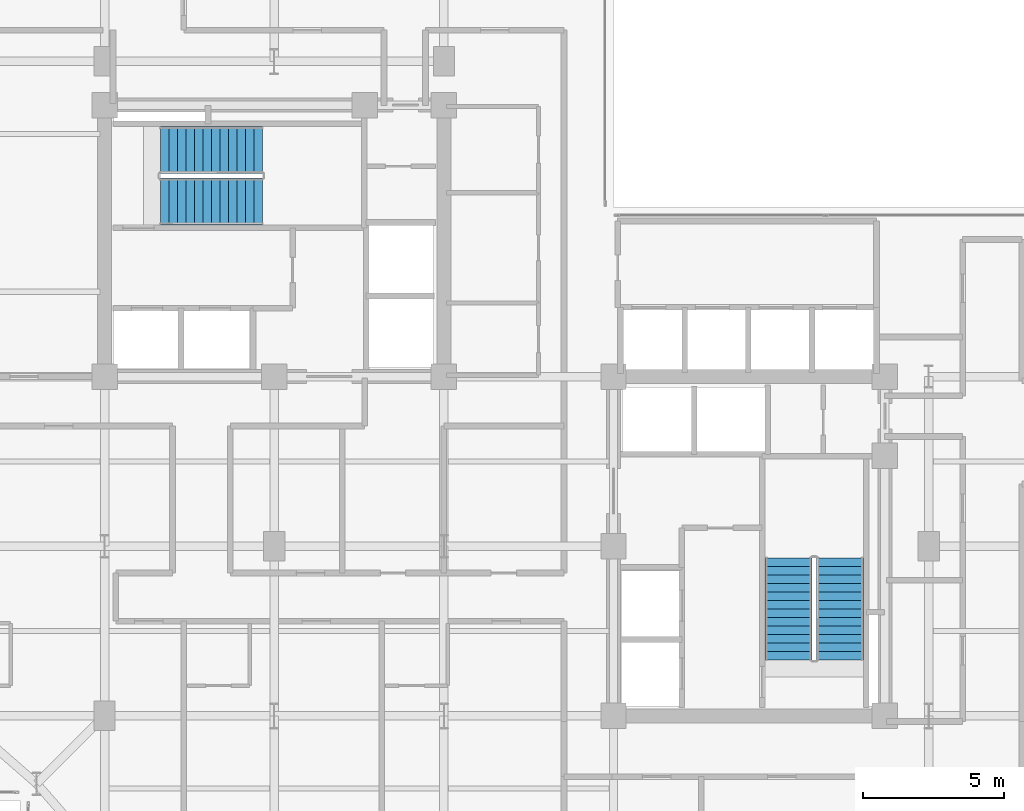
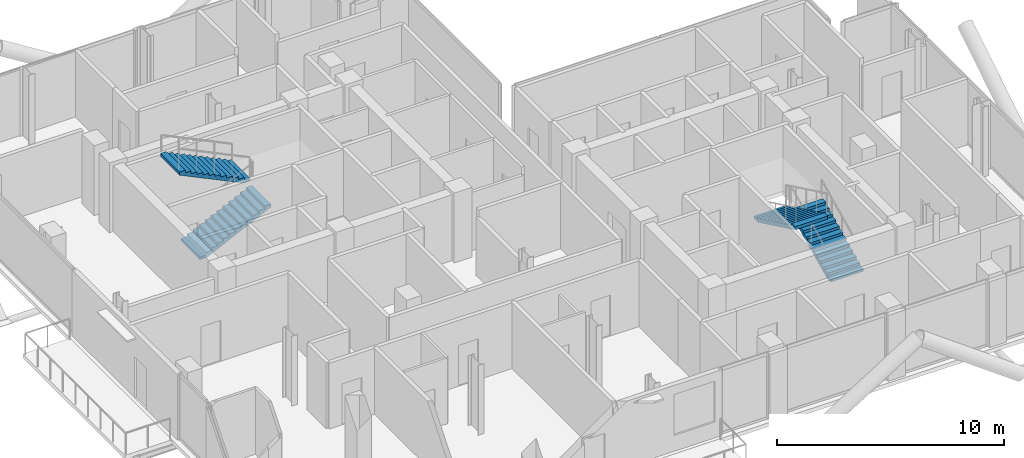
# One storey, part 20 of 22: 4 stair flights, 2 elements without a shape of their own.
"""IFC4 building model written with IfcOpenShell, lengths in metres."""

import ifcopenshell
import ifcopenshell.guid

model = None  # the IFC model being written
_history = None  # IfcOwnerHistory: only IFC2X3 demands one
_inside = {}  # id of a spatial element -> (the spatial element, [elements in it])
_under = {}  # id of a project, library or spatial element -> (it, [spatial elements below it])
_declared = {}  # id of a project -> (the project, [libraries it declares])
_typed = {}  # id of a type object -> (the type object, [elements of that type])
_made_of = {}  # id of a material, layer set ... -> (it, [elements and type objects made of it])


def new_model(schema):
    """Start an empty IFC model of exactly this schema.

    Asked for "IFC4X3", IfcOpenShell would pick the latest addendum, in which some entities
    have other attributes; the version numbers below select the first issue.
    IFC2X3 requires an IfcOwnerHistory on every rooted entity: one is made here for all.
    """
    global model, _history
    if schema == "IFC4X3":
        model = ifcopenshell.file(schema_version=(4, 3, 0, 0))
    else:
        model = ifcopenshell.file(schema=schema)
    _inside.clear()
    _under.clear()
    _declared.clear()
    _typed.clear()
    _made_of.clear()
    _history = None
    if model.schema == "IFC2X3":
        org = make("IfcOrganization", Name="unknown")
        user = make(
            "IfcPersonAndOrganization",
            ThePerson=make("IfcPerson", FamilyName="unknown"),
            TheOrganization=org,
        )
        app = make(
            "IfcApplication",
            ApplicationDeveloper=org,
            Version="unknown",
            ApplicationFullName="unknown",
            ApplicationIdentifier="unknown",
        )
        _history = make(
            "IfcOwnerHistory",
            OwningUser=user,
            OwningApplication=app,
            ChangeAction="ADDED",
            CreationDate=0,
        )
    return model


def make(cls, **values):
    """One entity of the class cls with the attributes given. An attribute that is None is left unset."""
    return model.create_entity(
        cls, **{name: value for name, value in values.items() if value is not None}
    )


def rooted(cls, **values):
    """An entity with a GlobalId (a new one), such as an element, a storey or a relation."""
    return make(cls, GlobalId=ifcopenshell.guid.new(), OwnerHistory=_history, **values)


def si_unit(unit_type, name, prefix=None):
    """IfcSIUnit, for example si_unit("LENGTHUNIT", "METRE", prefix="MILLI")."""
    return make("IfcSIUnit", UnitType=unit_type, Prefix=prefix, Name=name)


def assignment(units):
    """IfcUnitAssignment: the units of a project."""
    return None if units is None else make("IfcUnitAssignment", Units=units)


def point(xyz):
    """IfcCartesianPoint."""
    return None if xyz is None else make("IfcCartesianPoint", Coordinates=xyz)


def direction(xyz):
    """IfcDirection."""
    return None if xyz is None else make("IfcDirection", DirectionRatios=xyz)


def frame(location, z_axis=None, x_axis=None):
    """IfcAxis2Placement3D, a coordinate frame: its origin and axes. An axis left out is left unset."""
    return make(
        "IfcAxis2Placement3D",
        Location=point(location),
        Axis=direction(z_axis),
        RefDirection=direction(x_axis),
    )


def origin():
    """The frame at (0, 0, 0) with its axes left unset."""
    return frame((0.0, 0.0, 0.0))


def place(relative_to, where):
    """IfcLocalPlacement: puts the frame where relative to a parent placement (None: the world)."""
    return make(
        "IfcLocalPlacement", PlacementRelTo=relative_to, RelativePlacement=where
    )


def context(
    kind, dimensions, precision=None, world=None, true_north=None, identifier=None
):
    """IfcGeometricRepresentationContext, for example the 3D "Model" context."""
    return make(
        "IfcGeometricRepresentationContext",
        ContextIdentifier=identifier,
        ContextType=kind,
        CoordinateSpaceDimension=dimensions,
        Precision=precision,
        WorldCoordinateSystem=world,
        TrueNorth=true_north,
    )


def subcontext(parent, identifier, kind, view, scale=None):
    """IfcGeometricRepresentationSubContext, for example "Body" below "Model"."""
    return make(
        "IfcGeometricRepresentationSubContext",
        ContextIdentifier=identifier,
        ContextType=kind,
        ParentContext=parent,
        TargetScale=scale,
        TargetView=view,
    )


def project(units=None, contexts=None):
    """IfcProject with its units and contexts."""
    return rooted(
        "IfcProject",
        Name="project",
        RepresentationContexts=contexts,
        UnitsInContext=assignment(units),
    )


def spatial(cls, under=None, at=None, **own):
    """A site, building, storey or space (cls), placed at a placement, below another one or the project."""
    s = rooted(cls, ObjectPlacement=at, **own)
    if under is not None:
        _under.setdefault(under.id(), (under, []))[1].append(s)
    return s


def polyline(points):
    """IfcPolyline through the points."""
    return make("IfcPolyline", Points=[point(p) for p in points])


def outline(outer, holes=None, kind="AREA"):
    """IfcArbitraryClosedProfileDef: a profile drawn as a closed curve; with holes, ...WithVoids."""
    if holes is None:
        return make("IfcArbitraryClosedProfileDef", ProfileType=kind, OuterCurve=outer)
    return make(
        "IfcArbitraryProfileDefWithVoids",
        ProfileType=kind,
        OuterCurve=outer,
        InnerCurves=holes,
    )


def extrude(swept, where, along, depth):
    """IfcExtrudedAreaSolid: the profile swept, set in the frame where, extruded along a direction by depth."""
    return make(
        "IfcExtrudedAreaSolid",
        SweptArea=swept,
        Position=where,
        ExtrudedDirection=direction(along),
        Depth=depth,
    )


def shape(context_of_items, identifier, shape_type, items):
    """IfcShapeRepresentation: the items that make up one representation, for example the "Body"."""
    return make(
        "IfcShapeRepresentation",
        ContextOfItems=context_of_items,
        RepresentationIdentifier=identifier,
        RepresentationType=shape_type,
        Items=items,
    )


def material(Name=None, Category=None):
    """IfcMaterial."""
    return make("IfcMaterial", Name=Name, Category=Category)


def made_of(thing, what):
    """Note that an element or type object is made of a material, layer set ...; save() writes the relation."""
    if what is not None:
        _made_of.setdefault(what.id(), (what, []))[1].append(thing)
    return thing


def type_object(cls, material=None, **own):
    """A type object (cls), such as IfcWallType, which elements share."""
    return made_of(rooted(cls, **own), material)


def element(
    cls,
    number,
    at=None,
    inside=None,
    cuts=None,
    type_object=None,
    material=None,
    context=None,
    identifier="Body",
    shape_type=None,
    held_by="IfcProductDefinitionShape",
    body=None,
    shapes=None,
    **own,
):
    """One element of the class cls, such as IfcWall. Its Tag is "e" and its number.

    at: its placement. inside: the storey or other place that contains it. cuts: it is an
    opening in that element (IfcRelVoidsElement). A single representation is given by context,
    identifier, shape_type and body (its items); several are given by shapes. held_by: the class
    of the entity that holds the representations. save() writes the other relations.
    """
    e = rooted(cls, Tag="e%d" % number, ObjectPlacement=at, **own)
    if body is not None:
        shapes = [shape(context, identifier, shape_type, body)]
    if shapes is not None:
        e.Representation = make(held_by, Representations=shapes)
    if inside is not None:
        _inside.setdefault(inside.id(), (inside, []))[1].append(e)
    if cuts is not None:
        rooted(
            "IfcRelVoidsElement", RelatingBuildingElement=cuts, RelatedOpeningElement=e
        )
    if type_object is not None:
        _typed.setdefault(type_object.id(), (type_object, []))[1].append(e)
    return made_of(e, material)


def aggregate(whole, parts):
    """IfcRelAggregates: a whole, such as a stair, and the parts it consists of."""
    return rooted("IfcRelAggregates", RelatingObject=whole, RelatedObjects=parts)


def save(model, path):
    """Write the relations noted so far, then the file.

    IfcRelAggregates (storeys below a building ...), IfcRelContainedInSpatialStructure (elements
    in a storey), IfcRelDefinesByType, IfcRelAssociatesMaterial and IfcRelDeclares: one each for
    every whole, place, type object, material and project.
    """
    for whole, parts in _under.values():
        aggregate(whole, parts)
    for where, things in _inside.values():
        rooted(
            "IfcRelContainedInSpatialStructure",
            RelatedElements=things,
            RelatingStructure=where,
        )
    for kind, things in _typed.values():
        rooted("IfcRelDefinesByType", RelatedObjects=things, RelatingType=kind)
    for what, things in _made_of.values():
        rooted("IfcRelAssociatesMaterial", RelatedObjects=things, RelatingMaterial=what)
    for by, libraries in _declared.values():
        rooted("IfcRelDeclares", RelatingContext=by, RelatedDefinitions=libraries)
    model.write(path)


model = new_model("IFC4")

# Units and contexts
model_context = context("Model", 3, precision=1e-05, world=origin(), true_north=direction((0.0, 1.0)))
body_context = subcontext(model_context, "Body", "Model", "MODEL_VIEW")
ifc_project = project(units=[si_unit("LENGTHUNIT", "METRE"), si_unit("AREAUNIT", "SQUARE_METRE"), si_unit("VOLUMEUNIT", "CUBIC_METRE"), si_unit("PLANEANGLEUNIT", "RADIAN"), si_unit("MASSUNIT", "GRAM", prefix="KILO"), si_unit("THERMODYNAMICTEMPERATUREUNIT", "KELVIN"), si_unit("POWERUNIT", "WATT")], contexts=[model_context])

# Site, building, storey
site_placement = place(None, origin())
site = spatial("IfcSite", under=ifc_project, at=site_placement, CompositionType="ELEMENT")
building_placement = place(site_placement, origin())
building = spatial("IfcBuilding", under=site, at=building_placement, Name="Svarakhadi Broadcast Tower", CompositionType="ELEMENT")
storey_placement = place(building_placement, frame((0.0, 0.0, 176.699951171875)))
storey = spatial("IfcBuildingStorey", under=building, at=storey_placement, Name="L43", CompositionType="ELEMENT", Elevation=176.699951171875)

# Stair, stair flights
ifc_material = material(Name="Concrete C40/50 (IS 456 M50)", Category="concrete")
stair_type = type_object("IfcStairType", Name="Stair_Exit_Core", PredefinedType="HALF_TURN_STAIR", material=ifc_material)
stair_1_placement = place(storey_placement, origin())
stair_1 = element("IfcStair", 1, at=stair_1_placement, inside=storey, type_object=stair_type, Name="L43 West Core Protected Exit Stair ST-01", PredefinedType="HALF_TURN_STAIR")
stair_flight_type = type_object("IfcStairFlightType", Name="Flight_RC_1680", PredefinedType="STRAIGHT", material=ifc_material)
stair_flight_1_placement = place(storey_placement, frame((7.97998046875, 24.18994140625, 0.0), z_axis=(0.0, 0.0, 1.0), x_axis=(1.0, 0.0, 0.0)))
stair_flight_1 = element("IfcStairFlight", 2, at=stair_flight_1_placement, type_object=stair_flight_type, Name="ST-01 flight 1", NumberOfRisers=13, NumberOfTreads=12, PredefinedType="STRAIGHT", RiserHeight=0.144230769, TreadLength=0.3, context=body_context, shape_type="SweptSolid", body=[
    extrude(outline(polyline([(0.0, 0.0), (0.0, 0.144287109375), (0.300048828125, 0.144287109375), (0.300048828125, 0.28857421875), (0.60009765625, 0.28857421875), (0.60009765625, 0.4326171875), (0.89990234375, 0.4326171875), (0.89990234375, 0.576904296875), (1.199951171875, 0.576904296875), (1.199951171875, 0.72119140625), (1.5, 0.72119140625), (1.5, 0.865478515625), (1.800048828125, 0.865478515625), (1.800048828125, 1.009521484375), (2.10009765625, 1.009521484375), (2.10009765625, 1.15380859375), (2.39990234375, 1.15380859375), (2.39990234375, 1.298095703125), (2.699951171875, 1.298095703125), (2.699951171875, 1.4423828125), (3.0, 1.4423828125), (3.0, 1.58642578125), (3.300048828125, 1.58642578125), (3.300048828125, 1.730712890625), (3.60009765625, 1.730712890625), (3.60009765625, 1.875), (3.60009765625, 1.564453125), (0.345947265625, 0.0), (0.0, 0.0)])), frame((0.0, 0.830078125, 0.0), z_axis=(0.0, -1.0, 0.0), x_axis=(1.0, 0.0, 0.0)), (0.0, 0.0, 1.0), 1.659912109375),
])
stair_flight_2_placement = place(storey_placement, frame((11.580078125, 26.010009765625, 1.875), z_axis=(0.0, 0.0, 1.0), x_axis=(-1.0, 0.0, 0.0)))
stair_flight_2 = element("IfcStairFlight", 3, at=stair_flight_2_placement, type_object=stair_flight_type, Name="ST-01 flight 2", NumberOfRisers=13, NumberOfTreads=12, PredefinedType="STRAIGHT", RiserHeight=0.144230769, TreadLength=0.3, context=body_context, shape_type="SweptSolid", body=[
    extrude(outline(polyline([(0.0, 0.0), (0.0, 0.144287109375), (0.300048828125, 0.144287109375), (0.300048828125, 0.28857421875), (0.60009765625, 0.28857421875), (0.60009765625, 0.4326171875), (0.89990234375, 0.4326171875), (0.89990234375, 0.576904296875), (1.199951171875, 0.576904296875), (1.199951171875, 0.72119140625), (1.5, 0.72119140625), (1.5, 0.865478515625), (1.800048828125, 0.865478515625), (1.800048828125, 1.009521484375), (2.10009765625, 1.009521484375), (2.10009765625, 1.15380859375), (2.39990234375, 1.15380859375), (2.39990234375, 1.298095703125), (2.699951171875, 1.298095703125), (2.699951171875, 1.4423828125), (3.0, 1.4423828125), (3.0, 1.58642578125), (3.300048828125, 1.58642578125), (3.300048828125, 1.730712890625), (3.60009765625, 1.730712890625), (3.60009765625, 1.875), (3.60009765625, 1.564453125), (0.345947265625, 0.0), (0.0, 0.0)])), frame((0.0, 0.830078125, 0.0), z_axis=(0.0, -1.0, 0.0), x_axis=(1.0, 0.0, 0.0)), (0.0, 0.0, 1.0), 1.659912109375),
])
aggregate(stair_1, [stair_flight_1, stair_flight_2])

stair_2_placement = place(storey_placement, origin())
stair_2 = element("IfcStair", 4, at=stair_2_placement, inside=storey, type_object=stair_type, Name="L43 East Core Protected Exit Stair ST-02", PredefinedType="HALF_TURN_STAIR")
stair_flight_3_placement = place(storey_placement, frame((32.010009765625, 7.97998046875, 0.0), z_axis=(0.0, 0.0, 1.0), x_axis=(0.0, 1.0, 0.0)))
stair_flight_3 = element("IfcStairFlight", 5, at=stair_flight_3_placement, type_object=stair_flight_type, Name="ST-02 flight 1", NumberOfRisers=13, NumberOfTreads=12, PredefinedType="STRAIGHT", RiserHeight=0.144230769, TreadLength=0.3, context=body_context, shape_type="SweptSolid", body=[
    extrude(outline(polyline([(0.0, 0.0), (0.0, 0.144287109375), (0.300048828125, 0.144287109375), (0.300048828125, 0.28857421875), (0.60009765625, 0.28857421875), (0.60009765625, 0.4326171875), (0.89990234375, 0.4326171875), (0.89990234375, 0.576904296875), (1.199951171875, 0.576904296875), (1.199951171875, 0.72119140625), (1.5, 0.72119140625), (1.5, 0.865478515625), (1.800048828125, 0.865478515625), (1.800048828125, 1.009521484375), (2.10009765625, 1.009521484375), (2.10009765625, 1.15380859375), (2.39990234375, 1.15380859375), (2.39990234375, 1.298095703125), (2.699951171875, 1.298095703125), (2.699951171875, 1.4423828125), (3.0, 1.4423828125), (3.0, 1.58642578125), (3.300048828125, 1.58642578125), (3.300048828125, 1.730712890625), (3.60009765625, 1.730712890625), (3.60009765625, 1.875), (3.60009765625, 1.564453125), (0.345947265625, 0.0), (0.0, 0.0)])), frame((0.0, 0.830078125, 0.0), z_axis=(0.0, -1.0, 0.0), x_axis=(1.0, 0.0, 0.0)), (0.0, 0.0, 1.0), 1.659912109375),
])
stair_flight_4_placement = place(storey_placement, frame((30.18994140625, 11.580078125, 1.875), z_axis=(0.0, 0.0, 1.0), x_axis=(0.0, -1.0, 0.0)))
stair_flight_4 = element("IfcStairFlight", 6, at=stair_flight_4_placement, type_object=stair_flight_type, Name="ST-02 flight 2", NumberOfRisers=13, NumberOfTreads=12, PredefinedType="STRAIGHT", RiserHeight=0.144230769, TreadLength=0.3, context=body_context, shape_type="SweptSolid", body=[
    extrude(outline(polyline([(0.0, 0.0), (0.0, 0.144287109375), (0.300048828125, 0.144287109375), (0.300048828125, 0.28857421875), (0.60009765625, 0.28857421875), (0.60009765625, 0.4326171875), (0.89990234375, 0.4326171875), (0.89990234375, 0.576904296875), (1.199951171875, 0.576904296875), (1.199951171875, 0.72119140625), (1.5, 0.72119140625), (1.5, 0.865478515625), (1.800048828125, 0.865478515625), (1.800048828125, 1.009521484375), (2.10009765625, 1.009521484375), (2.10009765625, 1.15380859375), (2.39990234375, 1.15380859375), (2.39990234375, 1.298095703125), (2.699951171875, 1.298095703125), (2.699951171875, 1.4423828125), (3.0, 1.4423828125), (3.0, 1.58642578125), (3.300048828125, 1.58642578125), (3.300048828125, 1.730712890625), (3.60009765625, 1.730712890625), (3.60009765625, 1.875), (3.60009765625, 1.564453125), (0.345947265625, 0.0), (0.0, 0.0)])), frame((0.0, 0.830078125, 0.0), z_axis=(0.0, -1.0, 0.0), x_axis=(1.0, 0.0, 0.0)), (0.0, 0.0, 1.0), 1.659912109375),
])
aggregate(stair_2, [stair_flight_3, stair_flight_4])

save(model, "model.ifc")
